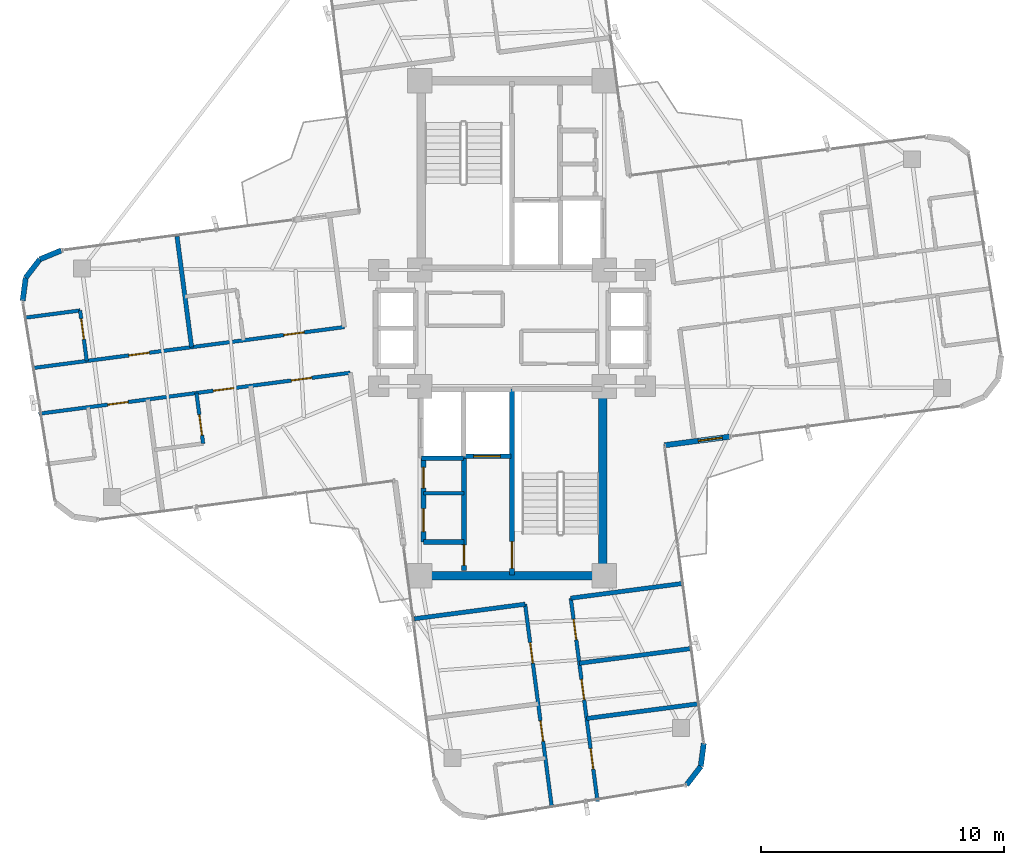
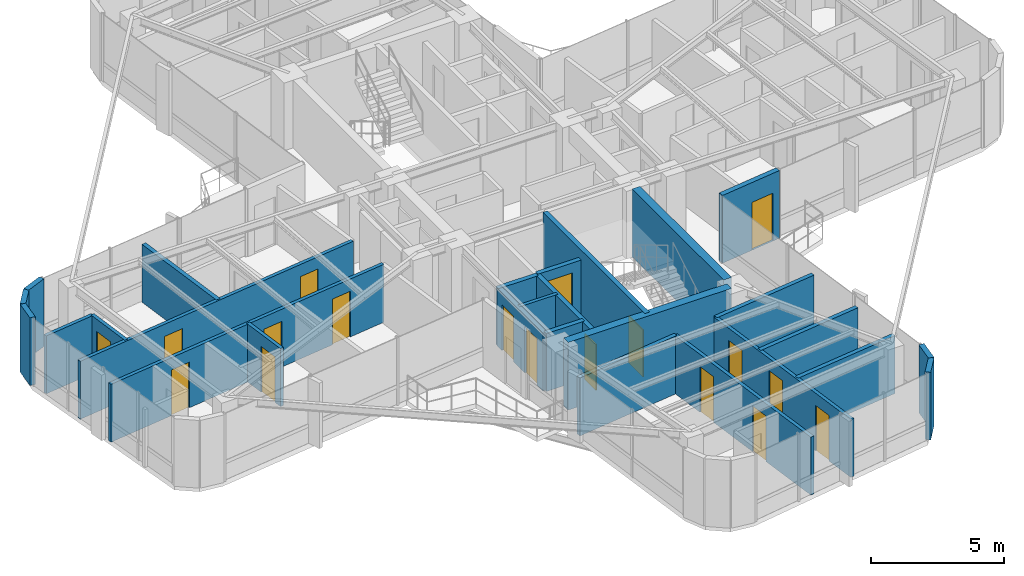
# One storey, part 19 of 23: 27 walls, 18 doors, 18 openings.
"""IFC4 building model written with IfcOpenShell, lengths in metres."""

from ifc_helpers import new_model, si_unit, direction, frame, frame_2d, origin, origin_2d, place, context, subcontext, project, spatial, rectangle, extrude, source, transform, mapped, material, layer, layer_set, type_object, element, fill, save


model = new_model("IFC4")

# Units and contexts
model_context = context("Model", 3, precision=1e-05, world=origin(), true_north=direction((0.0, 1.0)))
body_context = subcontext(model_context, "Body", "Model", "MODEL_VIEW")
ifc_project = project(units=[si_unit("LENGTHUNIT", "METRE"), si_unit("AREAUNIT", "SQUARE_METRE"), si_unit("VOLUMEUNIT", "CUBIC_METRE"), si_unit("PLANEANGLEUNIT", "RADIAN"), si_unit("MASSUNIT", "GRAM", prefix="KILO")], contexts=[model_context])

# Site, building, storey
site_placement = place(None, origin())
site = spatial("IfcSite", under=ifc_project, at=site_placement, CompositionType="ELEMENT")
building_placement = place(site_placement, origin())
building = spatial("IfcBuilding", under=site, at=building_placement, Name="Sahyath Konkavel Grand Hotel", CompositionType="ELEMENT")
storey_placement = place(building_placement, frame((0.0, 0.0, 254.550048828125)))
storey = spatial("IfcBuildingStorey", under=building, at=storey_placement, Name="L71", CompositionType="ELEMENT", Elevation=254.550048828125)

# Walls
ifc_material_1 = material(Name="Concrete C40/50", Category="concrete")
ifc_layer_1 = layer(ifc_material_1, 0.35009765625)
ifc_layer_set_1 = layer_set([ifc_layer_1], Name="Concrete C40/50")
wall_type_1 = type_object("IfcWallType", Name="CWALL-350", PredefinedType="SHEAR", material=ifc_layer_set_1)
wall_1_placement = place(storey_placement, frame((-3.550048828125, -10.199951171875, 0.0), z_axis=(0.0, 0.0, 1.0), x_axis=(1.0, 0.0, 0.0)))
element("IfcWall", 1, at=wall_1_placement, inside=storey, type_object=wall_type_1, Name="L71 South Core Shear Wall S", PredefinedType="SHEAR", context=body_context, shape_type="SweptSolid", body=[
    extrude(rectangle(XDim=7.10009765625, YDim=0.35009765625, at=frame_2d((3.550048828125, 0.0))), origin(), (0.0, 0.0, 1.0), 3.10986328125),
])
wall_2_placement = place(storey_placement, frame((3.739990234375, -9.75, 0.0), z_axis=(0.0, 0.0, 1.0), x_axis=(0.0, 1.0, 0.0)))
element("IfcWall", 2, at=wall_2_placement, inside=storey, type_object=wall_type_1, Name="L71 South Core Shear Wall E", PredefinedType="SHEAR", context=body_context, shape_type="SweptSolid", body=[
    extrude(rectangle(XDim=6.89990234375, YDim=0.35009765625, at=frame_2d((3.449951171875, 0.0))), origin(), (0.0, 0.0, 1.0), 3.10986328125),
])

# Wall, opening, door
ifc_material_2 = material(Name="Warm Buff Sandstone Insulated Concrete C40/50", Category="masonry")
ifc_layer_2 = layer(ifc_material_2, 0.219970703125)
ifc_layer_set_2 = layer_set([ifc_layer_2], Name="Warm Buff Sandstone Insulated Concrete C40/50")
wall_type_2 = type_object("IfcWallType", Name="WLL-BALC-THRESH", PredefinedType="STANDARD", material=ifc_layer_set_2)
wall_3_placement = place(storey_placement, frame((6.28759765625, -4.82470703125, 0.0), z_axis=(0.0, 0.0, 1.0), x_axis=(0.991438283356, 0.130576147498, 0.0)))
wall_3 = element("IfcWall", 3, at=wall_3_placement, inside=storey, type_object=wall_type_2, Name="L71 Winter-Garden Threshold Wall 0", PredefinedType="STANDARD", context=body_context, shape_type="SweptSolid", body=[
    extrude(rectangle(XDim=2.699951171875, YDim=0.219970703125, at=frame_2d((1.35009765625, 0.0))), origin(), (0.0, 0.0, 1.0), 3.10986328125),
])
opening_1_placement = place(wall_3_placement, frame((1.39990234375, 0.0, 0.0)))
opening_1 = element("IfcOpeningElement", 4, at=opening_1_placement, cuts=wall_3, Name="Opening D-TR1", PredefinedType="OPENING", context=body_context, shape_type="SweptSolid", body=[
    extrude(rectangle(XDim=1.0, YDim=2.199951171875, at=frame_2d((0.5, 1.10009765625))), frame((0.0, 0.1201171875, 0.0), z_axis=(0.0, -1.0, 0.0), x_axis=(1.0, 0.0, 0.0)), (0.0, 0.0, 1.0), 0.239990234375),
])
ifc_material_3 = material(Name="Anodised Bronze Aluminium & Low-E Glazing", Category="aluminium")
door_type_1 = type_object("IfcDoorType", Name="DR-TERRACE-1000", OperationType="NOTDEFINED", PredefinedType="DOOR", material=ifc_material_3)
shared_shape_1 = source(origin(), body_context, "Body", "SweptSolid", [
    extrude(rectangle(XDim=1.0, YDim=0.050048828125, at=origin_2d()), origin(), (0.0, 0.0, 1.0), 2.199951171875),
])
door_1_placement = place(opening_1_placement, frame((0.5, 0.0, 0.0)))
door_1 = element("IfcDoor", 5, at=door_1_placement, inside=storey, type_object=door_type_1, Name="L71 Winter-Garden Terrace Door 0", OperationType="SINGLE_SWING_LEFT", OverallHeight=2.199951171875, OverallWidth=1.0, PredefinedType="DOOR", context=body_context, shape_type="MappedRepresentation", body=[
    mapped(shared_shape_1, transform((0.0, 0.0, 0.0), scale=1.0)),
])
fill(opening_1, door_1)

# Walls
for number, where, z_axis, x_axis, name in (
    (6, (-18.58056640625, 3.206298828125, 0.0), (0.0, 0.0, 1.0), (-0.923761914696, -0.382967263559, 0.0), "L71 Rounded Corner Sandstone Pier 17"),
    (7, (-19.465087890625, 2.839599609375, 0.0), (0.0, 0.0, 1.0), (-0.608897151398, -0.793249178392, 0.0), "L71 Rounded Corner Sandstone Pier 18"),
):
    element("IfcWall", number, at=place(storey_placement, frame(where, z_axis=z_axis, x_axis=x_axis)), inside=storey, type_object=wall_type_2, Name=name, PredefinedType="STANDARD", context=body_context, shape_type="SweptSolid", body=[
        extrude(rectangle(XDim=0.95751953125, YDim=0.219970703125, at=frame_2d((0.478759765625, 0.0))), origin(), (0.0, 0.0, 1.0), 3.10986328125),
    ])
for number, where, z_axis, x_axis, name in (
    (8, (-20.048095703125, 2.080078125, 0.0), (0.0, 0.0, 1.0), (-0.130527053476, -0.991444747987, 0.0), "L71 Rounded Corner Sandstone Pier 19"),
    (9, (7.197998046875, -18.82666015625, 0.0), (0.0, 0.0, 1.0), (0.608774010809, 0.793343685778, 0.0), "L71 Rounded Corner Sandstone Pier 29"),
    (10, (7.781005859375, -18.06689453125, 0.0), (0.0, 0.0, 1.0), (0.130527053476, 0.991444747987, 0.0), "L71 Rounded Corner Sandstone Pier 30"),
):
    element("IfcWall", number, at=place(storey_placement, frame(where, z_axis=z_axis, x_axis=x_axis)), inside=storey, type_object=wall_type_2, Name=name, PredefinedType="STANDARD", context=body_context, shape_type="SweptSolid", body=[
        extrude(rectangle(XDim=0.957763671875, YDim=0.219970703125, at=frame_2d((0.47900390625, 0.0))), origin(), (0.0, 0.0, 1.0), 3.10986328125),
    ])

# Wall, opening, door
ifc_layer_3 = layer(ifc_material_1, 0.199951171875)
ifc_layer_set_3 = layer_set([ifc_layer_3], Name="Concrete C40/50")
wall_type_3 = type_object("IfcWallType", Name="WLL-CORE-200", PredefinedType="SOLIDWALL", material=ifc_layer_set_3)
wall_4_placement = place(storey_placement, frame((0.0, -10.179931640625, 0.0), z_axis=(0.0, 0.0, 1.0), x_axis=(0.0, 1.0, 0.0)))
wall_4 = element("IfcWall", 11, at=wall_4_placement, inside=storey, type_object=wall_type_3, Name="L71 Stair ST-2 Shaft Wall W", PredefinedType="SOLIDWALL", context=body_context, shape_type="SweptSolid", body=[
    extrude(rectangle(XDim=7.679931640625, YDim=0.199951171875, at=frame_2d((3.83984375, 0.0))), origin(), (0.0, 0.0, 1.0), 3.10986328125),
])
opening_2_placement = place(wall_4_placement, frame((0.280029296875, 0.0, 0.0)))
opening_2 = element("IfcOpeningElement", 12, at=opening_2_placement, cuts=wall_4, Name="Opening D-F12B", PredefinedType="OPENING", context=body_context, shape_type="SweptSolid", body=[
    extrude(rectangle(XDim=1.10009765625, YDim=2.14990234375, at=frame_2d((0.550048828125, 1.074951171875))), frame((0.0, 0.10986328125, 0.0), z_axis=(0.0, -1.0, 0.0), x_axis=(1.0, 0.0, 0.0)), (0.0, 0.0, 1.0), 0.219970703125),
])
ifc_material_4 = material(Name="Steel E350 Smokeproof Fire Door", Category="steel")
door_type_2 = type_object("IfcDoorType", Name="DR-FD120-1100", OperationType="NOTDEFINED", PredefinedType="DOOR", material=ifc_material_4)
shared_shape_2 = source(origin(), body_context, "Body", "SweptSolid", [
    extrude(rectangle(XDim=1.10009765625, YDim=0.050048828125, at=origin_2d()), origin(), (0.0, 0.0, 1.0), 2.14990234375),
])
door_2_placement = place(opening_2_placement, frame((0.550048828125, 0.0, 0.0)))
door_2 = element("IfcDoor", 13, at=door_2_placement, inside=storey, type_object=door_type_2, Name="L71 Stair ST-2 Fire Door", OperationType="SINGLE_SWING_RIGHT", OverallHeight=2.14990234375, OverallWidth=1.10009765625, PredefinedType="DOOR", context=body_context, shape_type="MappedRepresentation", body=[
    mapped(shared_shape_2, transform((0.0, 0.0, 0.0), scale=1.0)),
])
fill(opening_2, door_2)

wall_5_placement = place(storey_placement, frame((-1.97998046875, -9.97998046875, 0.0), z_axis=(0.0, 0.0, 1.0), x_axis=(0.0, 1.0, 0.0)))
wall_5 = element("IfcWall", 14, at=wall_5_placement, inside=storey, type_object=wall_type_3, Name="L71 South Firefighting Lobby Wall W", PredefinedType="SOLIDWALL", context=body_context, shape_type="SweptSolid", body=[
    extrude(rectangle(XDim=4.659912109375, YDim=0.199951171875, at=frame_2d((2.330078125, 0.0))), origin(), (0.0, 0.0, 1.0), 2.659912109375),
])
opening_3_placement = place(wall_5_placement, frame((0.199951171875, 0.0, 0.0)))
opening_3 = element("IfcOpeningElement", 15, at=opening_3_placement, cuts=wall_5, Name="Opening D-F12D", PredefinedType="OPENING", context=body_context, shape_type="SweptSolid", body=[
    extrude(rectangle(XDim=0.85009765625, YDim=2.10009765625, at=frame_2d((0.425048828125, 1.050048828125))), frame((0.0, 0.10986328125, 0.0), z_axis=(0.0, -1.0, 0.0), x_axis=(1.0, 0.0, 0.0)), (0.0, 0.0, 1.0), 0.219970703125),
])
ifc_material_5 = material(Name="Steel E350 Core Fire Door", Category="steel")
door_type_3 = type_object("IfcDoorType", Name="DR-FD120-850", OperationType="NOTDEFINED", PredefinedType="DOOR", material=ifc_material_5)
shared_shape_3 = source(origin(), body_context, "Body", "SweptSolid", [
    extrude(rectangle(XDim=0.85009765625, YDim=0.050048828125, at=origin_2d()), origin(), (0.0, 0.0, 1.0), 2.10009765625),
])
door_3_placement = place(opening_3_placement, frame((0.425048828125, 0.0, 0.0)))
door_3 = element("IfcDoor", 16, at=door_3_placement, inside=storey, type_object=door_type_3, Name="L71 South Firefighting Lobby Door", OperationType="SINGLE_SWING_RIGHT", OverallHeight=2.10009765625, OverallWidth=0.85009765625, PredefinedType="DOOR", context=body_context, shape_type="MappedRepresentation", body=[
    mapped(shared_shape_3, transform((0.0, 0.0, 0.0), scale=1.0)),
])
fill(opening_3, door_3)

wall_6_placement = place(storey_placement, frame((-1.97998046875, -5.280029296875, 0.0), z_axis=(0.0, 0.0, 1.0), x_axis=(1.0, 0.0, 0.0)))
wall_6 = element("IfcWall", 17, at=wall_6_placement, inside=storey, type_object=wall_type_3, Name="L71 Partition SH-FFL2-S", PredefinedType="SOLIDWALL", context=body_context, shape_type="SweptSolid", body=[
    extrude(rectangle(XDim=1.929931640625, YDim=0.199951171875, at=frame_2d((0.96484375, 0.0))), origin(), (0.0, 0.0, 1.0), 2.659912109375),
])
opening_4_placement = place(wall_6_placement, frame((0.39990234375, 0.0, 0.0)))
opening_4 = element("IfcOpeningElement", 18, at=opening_4_placement, cuts=wall_6, Name="Opening LD-11", PredefinedType="OPENING", context=body_context, shape_type="SweptSolid", body=[
    extrude(rectangle(XDim=1.10009765625, YDim=2.199951171875, at=frame_2d((0.550048828125, 1.10009765625))), frame((0.0, 0.10986328125, 0.0), z_axis=(0.0, -1.0, 0.0), x_axis=(1.0, 0.0, 0.0)), (0.0, 0.0, 1.0), 0.219970703125),
])
ifc_material_6 = material(Name="Bronze Lift Landing Door 1100")
door_type_4 = type_object("IfcDoorType", Name="DR-LIFT-1100", OperationType="DOUBLE_DOOR_SLIDING", PredefinedType="DOOR", material=ifc_material_6)
shared_shape_4 = source(origin(), body_context, "Body", "SweptSolid", [
    extrude(rectangle(XDim=1.10009765625, YDim=0.050048828125, at=origin_2d()), origin(), (0.0, 0.0, 1.0), 2.199951171875),
])
door_4_placement = place(opening_4_placement, frame((0.550048828125, 0.0, 0.0)))
door_4 = element("IfcDoor", 19, at=door_4_placement, inside=storey, type_object=door_type_4, Name="L71 Lift FFL-2 Landing Door", OperationType="DOUBLE_DOOR_SLIDING", OverallHeight=2.199951171875, OverallWidth=1.10009765625, PredefinedType="DOOR", context=body_context, shape_type="MappedRepresentation", body=[
    mapped(shared_shape_4, transform((0.0, 0.0, 0.0), scale=1.0)),
])
fill(opening_4, door_4)

# Wall
wall_7_placement = place(storey_placement, frame((-3.739990234375, -5.360107421875, 0.0), z_axis=(0.0, 0.0, 1.0), x_axis=(1.0, 0.0, 0.0)))
element("IfcWall", 20, at=wall_7_placement, inside=storey, type_object=wall_type_3, Name="L71 Partition SH-SVL2-S", PredefinedType="SOLIDWALL", context=body_context, shape_type="SweptSolid", body=[
    extrude(rectangle(XDim=1.739990234375, YDim=0.199951171875, at=frame_2d((0.8701171875, 0.0))), origin(), (0.0, 0.0, 1.0), 2.659912109375),
])

# Wall, openings, doors
wall_8_placement = place(storey_placement, frame((-3.64990234375, -8.81005859375, 0.0), z_axis=(0.0, 0.0, 1.0), x_axis=(0.0, 1.0, 0.0)))
wall_8 = element("IfcWall", 21, at=wall_8_placement, inside=storey, type_object=wall_type_3, Name="L71 Reclaimed South Core Wall W", PredefinedType="SOLIDWALL", context=body_context, shape_type="SweptSolid", body=[
    extrude(rectangle(XDim=3.43017578125, YDim=0.199951171875, at=frame_2d((1.715087890625, 0.0))), origin(), (0.0, 0.0, 1.0), 2.659912109375),
])
opening_5_placement = place(wall_8_placement, frame((0.419921875, 0.0, 0.0)))
opening_5 = element("IfcOpeningElement", 22, at=opening_5_placement, cuts=wall_8, Name="Opening D-AC95", PredefinedType="OPENING", context=body_context, shape_type="SweptSolid", body=[
    extrude(rectangle(XDim=0.949951171875, YDim=2.14990234375, at=frame_2d((0.47509765625, 1.074951171875))), frame((0.0, 0.10986328125, 0.0), z_axis=(0.0, -1.0, 0.0), x_axis=(1.0, 0.0, 0.0)), (0.0, 0.0, 1.0), 0.219970703125),
])
opening_6_placement = place(wall_8_placement, frame((2.219970703125, 0.0, 0.0)))
opening_6 = element("IfcOpeningElement", 23, at=opening_6_placement, cuts=wall_8, Name="Opening D-F06D", PredefinedType="OPENING", context=body_context, shape_type="SweptSolid", body=[
    extrude(rectangle(XDim=0.85009765625, YDim=2.10009765625, at=frame_2d((0.425048828125, 1.050048828125))), frame((0.0, 0.10986328125, 0.0), z_axis=(0.0, -1.0, 0.0), x_axis=(1.0, 0.0, 0.0)), (0.0, 0.0, 1.0), 0.219970703125),
])
ifc_material_7 = material(Name="Accessible Washroom Timber Door", Category="wood")
door_type_5 = type_object("IfcDoorType", Name="DR-ACC-950", OperationType="NOTDEFINED", PredefinedType="DOOR", material=ifc_material_7)
shared_shape_5 = source(origin(), body_context, "Body", "SweptSolid", [
    extrude(rectangle(XDim=0.949951171875, YDim=0.050048828125, at=origin_2d()), origin(), (0.0, 0.0, 1.0), 2.14990234375),
])
door_5_placement = place(opening_5_placement, frame((0.47509765625, 0.0, 0.0)))
door_5 = element("IfcDoor", 24, at=door_5_placement, inside=storey, type_object=door_type_5, Name="L71 Door SC-REC1-D", OperationType="SINGLE_SWING_LEFT", OverallHeight=2.14990234375, OverallWidth=0.949951171875, PredefinedType="DOOR", context=body_context, shape_type="MappedRepresentation", body=[
    mapped(shared_shape_5, transform((0.0, 0.0, 0.0), scale=1.0)),
])
fill(opening_5, door_5)
ifc_material_8 = material(Name="Fire-Rated Shaft Access Door")
door_type_6 = type_object("IfcDoorType", Name="DR-FD60-850", OperationType="NOTDEFINED", PredefinedType="DOOR", material=ifc_material_8)
door_6_placement = place(opening_6_placement, frame((0.425048828125, 0.0, 0.0)))
door_6 = element("IfcDoor", 25, at=door_6_placement, inside=storey, type_object=door_type_6, Name="L71 Door SC-REC2-D", OperationType="SINGLE_SWING_RIGHT", OverallHeight=2.10009765625, OverallWidth=0.85009765625, PredefinedType="DOOR", context=body_context, shape_type="MappedRepresentation", body=[
    mapped(shared_shape_3, transform((0.0, 0.0, 0.0), scale=1.0)),
])
fill(opening_6, door_6)

# Walls
wall_9_placement = place(storey_placement, frame((-3.64990234375, -8.81005859375, 0.0), z_axis=(0.0, 0.0, 1.0), x_axis=(1.0, 0.0, 0.0)))
element("IfcWall", 26, at=wall_9_placement, inside=storey, type_object=wall_type_3, Name="L71 Partition SC-REC-S", PredefinedType="SOLIDWALL", context=body_context, shape_type="SweptSolid", body=[
    extrude(rectangle(XDim=1.669921875, YDim=0.199951171875, at=frame_2d((0.8349609375, 0.0))), origin(), (0.0, 0.0, 1.0), 2.659912109375),
])
ifc_material_9 = material(Name="Twin-Stud Acoustic Gypsum Plasterboard Partition")
ifc_layer_4 = layer(ifc_material_9, 0.179931640625)
ifc_layer_set_4 = layer_set([ifc_layer_4], Name="Twin-Stud Acoustic Gypsum Plasterboard Partition")
wall_type_4 = type_object("IfcWallType", Name="WLL-DEMISE-180", PredefinedType="PARTITIONING", material=ifc_layer_set_4)
for number, where, z_axis, x_axis, name in (
    (27, (-13.2080078125, -0.78076171875, 0.0), (0.0, 0.0, 1.0), (-0.130551902153, 0.991441476258, 0.0), "L71 Partition W-W1R-DEM"),
    (28, (2.42333984375, -11.12890625, 0.0), (0.0, 0.0, 1.0), (0.991448338432, 0.130499778621, 0.0), "L71 Partition S-INL"),
):
    element("IfcWall", number, at=place(storey_placement, frame(where, z_axis=z_axis, x_axis=x_axis)), inside=storey, type_object=wall_type_4, Name=name, PredefinedType="PARTITIONING", context=body_context, shape_type="SweptSolid", body=[
        extrude(rectangle(XDim=4.60400390625, YDim=0.179931640625, at=frame_2d((2.302001953125, 0.0))), origin(), (0.0, 0.0, 1.0), 2.659912109375),
    ])
wall_10_placement = place(storey_placement, frame((-4.02490234375, -11.977783203125, 0.0), z_axis=(0.0, 0.0, 1.0), x_axis=(0.991447435299, 0.13050663983, 0.0)))
element("IfcWall", 29, at=wall_10_placement, inside=storey, type_object=wall_type_4, Name="L71 Partition S-INR", PredefinedType="PARTITIONING", context=body_context, shape_type="SweptSolid", body=[
    extrude(rectangle(XDim=4.603759765625, YDim=0.179931640625, at=frame_2d((2.3017578125, 0.0))), origin(), (0.0, 0.0, 1.0), 2.659912109375),
])
for number, where, z_axis, x_axis, name in (
    (30, (2.7763671875, -13.810791015625, 0.0), (0.0, 0.0, 1.0), (0.991441476258, 0.130551902153, 0.0), "L71 Partition S-S1L-DEM"),
    (31, (3.076416015625, -16.089111328125, 0.0), (0.0, 0.0, 1.0), (0.991448338432, 0.130499778621, 0.0), "L71 Partition S-S2L-DEM"),
):
    element("IfcWall", number, at=place(storey_placement, frame(where, z_axis=z_axis, x_axis=x_axis)), inside=storey, type_object=wall_type_4, Name=name, PredefinedType="PARTITIONING", context=body_context, shape_type="SweptSolid", body=[
        extrude(rectangle(XDim=4.60400390625, YDim=0.179931640625, at=frame_2d((2.302001953125, 0.0))), origin(), (0.0, 0.0, 1.0), 2.659912109375),
    ])
ifc_material_10 = material(Name="Fire-Rated Gypsum Plasterboard Partition")
ifc_layer_5 = layer(ifc_material_10, 0.14990234375)
ifc_layer_set_5 = layer_set([ifc_layer_5], Name="Fire-Rated Gypsum Plasterboard Partition")
wall_type_5 = type_object("IfcWallType", Name="WLL-PART-150", PredefinedType="PARTITIONING", material=ifc_layer_set_5)
wall_11_placement = place(storey_placement, frame((-3.64990234375, -6.81005859375, 0.0), z_axis=(0.0, 0.0, 1.0), x_axis=(1.0, 0.0, 0.0)))
element("IfcWall", 32, at=wall_11_placement, inside=storey, type_object=wall_type_5, Name="L71 Partition SC-REC-M1", PredefinedType="PARTITIONING", context=body_context, shape_type="SweptSolid", body=[
    extrude(rectangle(XDim=1.669921875, YDim=0.14990234375, at=frame_2d((0.8349609375, 0.0))), origin(), (0.0, 0.0, 1.0), 2.659912109375),
])

# Wall, openings, doors
wall_12_placement = place(storey_placement, frame((-6.66748046875, -1.8359375, 0.0), z_axis=(0.0, 0.0, 1.0), x_axis=(-0.991444990711, -0.1305252098, 0.0)))
wall_12 = element("IfcWall", 33, at=wall_12_placement, inside=storey, type_object=wall_type_5, Name="L71 Partition W-CL", PredefinedType="PARTITIONING", context=body_context, shape_type="SweptSolid", body=[
    extrude(rectangle(XDim=12.952880859375, YDim=0.14990234375, at=frame_2d((6.4765625, 0.0))), origin(), (0.0, 0.0, 1.0), 2.659912109375),
])
opening_7_placement = place(wall_12_placement, frame((1.596923828125, 0.0, 0.0)))
opening_7 = element("IfcOpeningElement", 34, at=opening_7_placement, cuts=wall_12, Name="Opening D-F06D", PredefinedType="OPENING", context=body_context, shape_type="SweptSolid", body=[
    extrude(rectangle(XDim=0.85009765625, YDim=2.10009765625, at=frame_2d((0.425048828125, 1.050048828125))), frame((0.0, 0.0849609375, 0.0), z_axis=(0.0, -1.0, 0.0), x_axis=(1.0, 0.0, 0.0)), (0.0, 0.0, 1.0), 0.169921875),
])
opening_8_placement = place(wall_12_placement, frame((4.844970703125, 0.0, 0.0)))
opening_8 = element("IfcOpeningElement", 35, at=opening_8_placement, cuts=wall_12, Name="Opening D-F06D", PredefinedType="OPENING", context=body_context, shape_type="SweptSolid", body=[
    extrude(rectangle(XDim=0.85009765625, YDim=2.10009765625, at=frame_2d((0.425048828125, 1.050048828125))), frame((0.0, 0.0849609375, 0.0), z_axis=(0.0, -1.0, 0.0), x_axis=(1.0, 0.0, 0.0)), (0.0, 0.0, 1.0), 0.169921875),
])
opening_9_placement = place(wall_12_placement, frame((9.236083984375, 0.0, 0.0)))
opening_9 = element("IfcOpeningElement", 36, at=opening_9_placement, cuts=wall_12, Name="Opening D-F06D", PredefinedType="OPENING", context=body_context, shape_type="SweptSolid", body=[
    extrude(rectangle(XDim=0.85009765625, YDim=2.10009765625, at=frame_2d((0.425048828125, 1.050048828125))), frame((0.0, 0.0849609375, 0.0), z_axis=(0.0, -1.0, 0.0), x_axis=(1.0, 0.0, 0.0)), (0.0, 0.0, 1.0), 0.169921875),
])
door_7_placement = place(opening_7_placement, frame((0.425048828125, 0.0, 0.0)))
door_7 = element("IfcDoor", 37, at=door_7_placement, inside=storey, type_object=door_type_6, Name="L71 Door W-W1L-D", OperationType="SINGLE_SWING_RIGHT", OverallHeight=2.10009765625, OverallWidth=0.85009765625, PredefinedType="DOOR", context=body_context, shape_type="MappedRepresentation", body=[
    mapped(shared_shape_3, transform((0.0, 0.0, 0.0), scale=1.0)),
])
fill(opening_7, door_7)
door_8_placement = place(opening_8_placement, frame((0.425048828125, 0.0, 0.0)))
door_8 = element("IfcDoor", 38, at=door_8_placement, inside=storey, type_object=door_type_6, Name="L71 Door W-W2L-ED", OperationType="SINGLE_SWING_RIGHT", OverallHeight=2.10009765625, OverallWidth=0.85009765625, PredefinedType="DOOR", context=body_context, shape_type="MappedRepresentation", body=[
    mapped(shared_shape_3, transform((0.0, 0.0, 0.0), scale=1.0)),
])
fill(opening_8, door_8)
door_9_placement = place(opening_9_placement, frame((0.425048828125, 0.0, 0.0)))
door_9 = element("IfcDoor", 39, at=door_9_placement, inside=storey, type_object=door_type_6, Name="L71 Door W-W3L-ED", OperationType="SINGLE_SWING_RIGHT", OverallHeight=2.10009765625, OverallWidth=0.85009765625, PredefinedType="DOOR", context=body_context, shape_type="MappedRepresentation", body=[
    mapped(shared_shape_3, transform((0.0, 0.0, 0.0), scale=1.0)),
])
fill(opening_9, door_9)

wall_13_placement = place(storey_placement, frame((-6.915283203125, 0.0478515625, 0.0), z_axis=(0.0, 0.0, 1.0), x_axis=(-0.991445311819, -0.1305227707, 0.0)))
wall_13 = element("IfcWall", 40, at=wall_13_placement, inside=storey, type_object=wall_type_5, Name="L71 Partition W-CR", PredefinedType="PARTITIONING", context=body_context, shape_type="SweptSolid", body=[
    extrude(rectangle(XDim=12.953125, YDim=0.14990234375, at=frame_2d((6.4765625, 0.0))), origin(), (0.0, 0.0, 1.0), 2.659912109375),
])
opening_10_placement = place(wall_13_placement, frame((1.6689453125, 0.0, 0.0)))
opening_10 = element("IfcOpeningElement", 41, at=opening_10_placement, cuts=wall_13, Name="Opening D-F06D", PredefinedType="OPENING", context=body_context, shape_type="SweptSolid", body=[
    extrude(rectangle(XDim=0.85009765625, YDim=2.10009765625, at=frame_2d((0.425048828125, 1.050048828125))), frame((0.0, 0.0849609375, 0.0), z_axis=(0.0, -1.0, 0.0), x_axis=(1.0, 0.0, 0.0)), (0.0, 0.0, 1.0), 0.169921875),
])
opening_11_placement = place(wall_13_placement, frame((8.10205078125, 0.0, 0.0)))
opening_11 = element("IfcOpeningElement", 42, at=opening_11_placement, cuts=wall_13, Name="Opening D-F06D", PredefinedType="OPENING", context=body_context, shape_type="SweptSolid", body=[
    extrude(rectangle(XDim=0.85009765625, YDim=2.10009765625, at=frame_2d((0.425048828125, 1.050048828125))), frame((0.0, 0.0849609375, 0.0), z_axis=(0.0, -1.0, 0.0), x_axis=(1.0, 0.0, 0.0)), (0.0, 0.0, 1.0), 0.169921875),
])
door_10_placement = place(opening_10_placement, frame((0.425048828125, 0.0, 0.0)))
door_10 = element("IfcDoor", 43, at=door_10_placement, inside=storey, type_object=door_type_6, Name="L71 Door W-W1R-ED", OperationType="SINGLE_SWING_RIGHT", OverallHeight=2.10009765625, OverallWidth=0.85009765625, PredefinedType="DOOR", context=body_context, shape_type="MappedRepresentation", body=[
    mapped(shared_shape_3, transform((0.0, 0.0, 0.0), scale=1.0)),
])
fill(opening_10, door_10)
door_11_placement = place(opening_11_placement, frame((0.425048828125, 0.0, 0.0)))
door_11 = element("IfcDoor", 44, at=door_11_placement, inside=storey, type_object=door_type_6, Name="L71 Door W-W2R-ED", OperationType="SINGLE_SWING_RIGHT", OverallHeight=2.10009765625, OverallWidth=0.85009765625, PredefinedType="DOOR", context=body_context, shape_type="MappedRepresentation", body=[
    mapped(shared_shape_3, transform((0.0, 0.0, 0.0), scale=1.0)),
])
fill(opening_11, door_11)

# Wall, opening, door
wall_14_placement = place(storey_placement, frame((-13.0078125, -2.670654296875, 0.0), z_axis=(0.0, 0.0, 1.0), x_axis=(0.130556761174, -0.991440836415, 0.0)))
wall_14 = element("IfcWall", 45, at=wall_14_placement, inside=storey, type_object=wall_type_5, Name="L71 Partition W-W2L-BS", PredefinedType="PARTITIONING", context=body_context, shape_type="SweptSolid", body=[
    extrude(rectangle(XDim=2.10009765625, YDim=0.14990234375, at=frame_2d((1.050048828125, 0.0))), origin(), (0.0, 0.0, 1.0), 2.659912109375),
])
opening_12_placement = place(wall_14_placement, frame((0.89990234375, 0.0, 0.0)))
opening_12 = element("IfcOpeningElement", 46, at=opening_12_placement, cuts=wall_14, Name="Opening D-BT85", PredefinedType="OPENING", context=body_context, shape_type="SweptSolid", body=[
    extrude(rectangle(XDim=0.85009765625, YDim=2.10009765625, at=frame_2d((0.425048828125, 1.050048828125))), frame((0.0, 0.0849609375, 0.0), z_axis=(0.0, -1.0, 0.0), x_axis=(1.0, 0.0, 0.0)), (0.0, 0.0, 1.0), 0.169921875),
])
ifc_material_11 = material(Name="Moisture-Resistant Teak Bathroom Door")
door_type_7 = type_object("IfcDoorType", Name="DR-BATH-850", OperationType="NOTDEFINED", PredefinedType="DOOR", material=ifc_material_11)
door_12_placement = place(opening_12_placement, frame((0.425048828125, 0.0, 0.0)))
door_12 = element("IfcDoor", 47, at=door_12_placement, inside=storey, type_object=door_type_7, Name="L71 Door W-W2L-BD", OperationType="SINGLE_SWING_LEFT", OverallHeight=2.10009765625, OverallWidth=0.85009765625, PredefinedType="DOOR", context=body_context, shape_type="MappedRepresentation", body=[
    mapped(shared_shape_3, transform((0.0, 0.0, 0.0), scale=1.0)),
])
fill(opening_12, door_12)

wall_15_placement = place(storey_placement, frame((-17.53076171875, -1.349853515625, 0.0), z_axis=(0.0, 0.0, 1.0), x_axis=(-0.130541714651, 0.991442817683, 0.0)))
wall_15 = element("IfcWall", 48, at=wall_15_placement, inside=storey, type_object=wall_type_5, Name="L71 Partition W-W2R-BS", PredefinedType="PARTITIONING", context=body_context, shape_type="SweptSolid", body=[
    extrude(rectangle(XDim=2.100341796875, YDim=0.14990234375, at=frame_2d((1.05029296875, 0.0))), origin(), (0.0, 0.0, 1.0), 2.659912109375),
])
opening_13_placement = place(wall_15_placement, frame((0.89990234375, 0.0, 0.0)))
opening_13 = element("IfcOpeningElement", 49, at=opening_13_placement, cuts=wall_15, Name="Opening D-BT85", PredefinedType="OPENING", context=body_context, shape_type="SweptSolid", body=[
    extrude(rectangle(XDim=0.85009765625, YDim=2.10009765625, at=frame_2d((0.425048828125, 1.050048828125))), frame((0.0, 0.0849609375, 0.0), z_axis=(0.0, -1.0, 0.0), x_axis=(1.0, 0.0, 0.0)), (0.0, 0.0, 1.0), 0.169921875),
])
door_13_placement = place(opening_13_placement, frame((0.425048828125, 0.0, 0.0)))
door_13 = element("IfcDoor", 50, at=door_13_placement, inside=storey, type_object=door_type_7, Name="L71 Door W-W2R-BD", OperationType="SINGLE_SWING_LEFT", OverallHeight=2.10009765625, OverallWidth=0.85009765625, PredefinedType="DOOR", context=body_context, shape_type="MappedRepresentation", body=[
    mapped(shared_shape_3, transform((0.0, 0.0, 0.0), scale=1.0)),
])
fill(opening_13, door_13)

# Wall
wall_16_placement = place(storey_placement, frame((-17.804931640625, 0.732421875, 0.0), z_axis=(0.0, 0.0, 1.0), x_axis=(-0.991442082005, -0.130547301884, 0.0)))
element("IfcWall", 51, at=wall_16_placement, inside=storey, type_object=wall_type_5, Name="L71 Partition W-W2R-BF", PredefinedType="PARTITIONING", context=body_context, shape_type="SweptSolid", body=[
    extrude(rectangle(XDim=2.24609375, YDim=0.14990234375, at=frame_2d((1.123046875, 0.0))), origin(), (0.0, 0.0, 1.0), 2.659912109375),
])

# Wall, openings, doors
wall_17_placement = place(storey_placement, frame((2.42333984375, -11.12890625, 0.0), z_axis=(0.0, 0.0, 1.0), x_axis=(0.13051951241, -0.991445740765, 0.0)))
wall_17 = element("IfcWall", 52, at=wall_17_placement, inside=storey, type_object=wall_type_5, Name="L71 Partition S-CL", PredefinedType="PARTITIONING", context=body_context, shape_type="SweptSolid", body=[
    extrude(rectangle(XDim=8.452880859375, YDim=0.14990234375, at=frame_2d((4.2265625, 0.0))), origin(), (0.0, 0.0, 1.0), 2.659912109375),
])
opening_14_placement = place(wall_17_placement, frame((0.8779296875, 0.0, 0.0)))
opening_14 = element("IfcOpeningElement", 53, at=opening_14_placement, cuts=wall_17, Name="Opening D-F06D", PredefinedType="OPENING", context=body_context, shape_type="SweptSolid", body=[
    extrude(rectangle(XDim=0.85009765625, YDim=2.10009765625, at=frame_2d((0.425048828125, 1.050048828125))), frame((0.0, 0.0849609375, 0.0), z_axis=(0.0, -1.0, 0.0), x_axis=(1.0, 0.0, 0.0)), (0.0, 0.0, 1.0), 0.169921875),
])
opening_15_placement = place(wall_17_placement, frame((3.37890625, 0.0, 0.0)))
opening_15 = element("IfcOpeningElement", 54, at=opening_15_placement, cuts=wall_17, Name="Opening D-F06D", PredefinedType="OPENING", context=body_context, shape_type="SweptSolid", body=[
    extrude(rectangle(XDim=0.85009765625, YDim=2.10009765625, at=frame_2d((0.425048828125, 1.050048828125))), frame((0.0, 0.0849609375, 0.0), z_axis=(0.0, -1.0, 0.0), x_axis=(1.0, 0.0, 0.0)), (0.0, 0.0, 1.0), 0.169921875),
])
opening_16_placement = place(wall_17_placement, frame((6.2529296875, 0.0, 0.0)))
opening_16 = element("IfcOpeningElement", 55, at=opening_16_placement, cuts=wall_17, Name="Opening D-F06D", PredefinedType="OPENING", context=body_context, shape_type="SweptSolid", body=[
    extrude(rectangle(XDim=0.85009765625, YDim=2.10009765625, at=frame_2d((0.425048828125, 1.050048828125))), frame((0.0, 0.0849609375, 0.0), z_axis=(0.0, -1.0, 0.0), x_axis=(1.0, 0.0, 0.0)), (0.0, 0.0, 1.0), 0.169921875),
])
door_14_placement = place(opening_14_placement, frame((0.425048828125, 0.0, 0.0)))
door_14 = element("IfcDoor", 56, at=door_14_placement, inside=storey, type_object=door_type_6, Name="L71 Door S-S1L-D", OperationType="SINGLE_SWING_LEFT", OverallHeight=2.10009765625, OverallWidth=0.85009765625, PredefinedType="DOOR", context=body_context, shape_type="MappedRepresentation", body=[
    mapped(shared_shape_3, transform((0.0, 0.0, 0.0), scale=1.0)),
])
fill(opening_14, door_14)
door_15_placement = place(opening_15_placement, frame((0.425048828125, 0.0, 0.0)))
door_15 = element("IfcDoor", 57, at=door_15_placement, inside=storey, type_object=door_type_6, Name="L71 Door S-S2L-D", OperationType="SINGLE_SWING_RIGHT", OverallHeight=2.10009765625, OverallWidth=0.85009765625, PredefinedType="DOOR", context=body_context, shape_type="MappedRepresentation", body=[
    mapped(shared_shape_3, transform((0.0, 0.0, 0.0), scale=1.0)),
])
fill(opening_15, door_15)
door_16_placement = place(opening_16_placement, frame((0.425048828125, 0.0, 0.0)))
door_16 = element("IfcDoor", 58, at=door_16_placement, inside=storey, type_object=door_type_6, Name="L71 Door S-S3L-D", OperationType="SINGLE_SWING_LEFT", OverallHeight=2.10009765625, OverallWidth=0.85009765625, PredefinedType="DOOR", context=body_context, shape_type="MappedRepresentation", body=[
    mapped(shared_shape_3, transform((0.0, 0.0, 0.0), scale=1.0)),
])
fill(opening_16, door_16)

wall_18_placement = place(storey_placement, frame((0.53955078125, -11.376953125, 0.0), z_axis=(0.0, 0.0, 1.0), x_axis=(0.13051951241, -0.991445740765, 0.0)))
wall_18 = element("IfcWall", 59, at=wall_18_placement, inside=storey, type_object=wall_type_5, Name="L71 Partition S-CR", PredefinedType="PARTITIONING", context=body_context, shape_type="SweptSolid", body=[
    extrude(rectangle(XDim=8.452880859375, YDim=0.14990234375, at=frame_2d((4.2265625, 0.0))), origin(), (0.0, 0.0, 1.0), 2.659912109375),
])
opening_17_placement = place(wall_18_placement, frame((1.595947265625, 0.0, 0.0)))
opening_17 = element("IfcOpeningElement", 60, at=opening_17_placement, cuts=wall_18, Name="Opening D-F06D", PredefinedType="OPENING", context=body_context, shape_type="SweptSolid", body=[
    extrude(rectangle(XDim=0.85009765625, YDim=2.10009765625, at=frame_2d((0.425048828125, 1.050048828125))), frame((0.0, 0.0849609375, 0.0), z_axis=(0.0, -1.0, 0.0), x_axis=(1.0, 0.0, 0.0)), (0.0, 0.0, 1.0), 0.169921875),
])
opening_18_placement = place(wall_18_placement, frame((4.847900390625, 0.0, 0.0)))
opening_18 = element("IfcOpeningElement", 61, at=opening_18_placement, cuts=wall_18, Name="Opening D-F06D", PredefinedType="OPENING", context=body_context, shape_type="SweptSolid", body=[
    extrude(rectangle(XDim=0.85009765625, YDim=2.10009765625, at=frame_2d((0.425048828125, 1.050048828125))), frame((0.0, 0.0849609375, 0.0), z_axis=(0.0, -1.0, 0.0), x_axis=(1.0, 0.0, 0.0)), (0.0, 0.0, 1.0), 0.169921875),
])
door_17_placement = place(opening_17_placement, frame((0.425048828125, 0.0, 0.0)))
door_17 = element("IfcDoor", 62, at=door_17_placement, inside=storey, type_object=door_type_6, Name="L71 Door S-S1R-D", OperationType="SINGLE_SWING_RIGHT", OverallHeight=2.10009765625, OverallWidth=0.85009765625, PredefinedType="DOOR", context=body_context, shape_type="MappedRepresentation", body=[
    mapped(shared_shape_3, transform((0.0, 0.0, 0.0), scale=1.0)),
])
fill(opening_17, door_17)
door_18_placement = place(opening_18_placement, frame((0.425048828125, 0.0, 0.0)))
door_18 = element("IfcDoor", 63, at=door_18_placement, inside=storey, type_object=door_type_6, Name="L71 Door S-S2R-ED", OperationType="SINGLE_SWING_RIGHT", OverallHeight=2.10009765625, OverallWidth=0.85009765625, PredefinedType="DOOR", context=body_context, shape_type="MappedRepresentation", body=[
    mapped(shared_shape_3, transform((0.0, 0.0, 0.0), scale=1.0)),
])
fill(opening_18, door_18)

save(model, "model.ifc")
